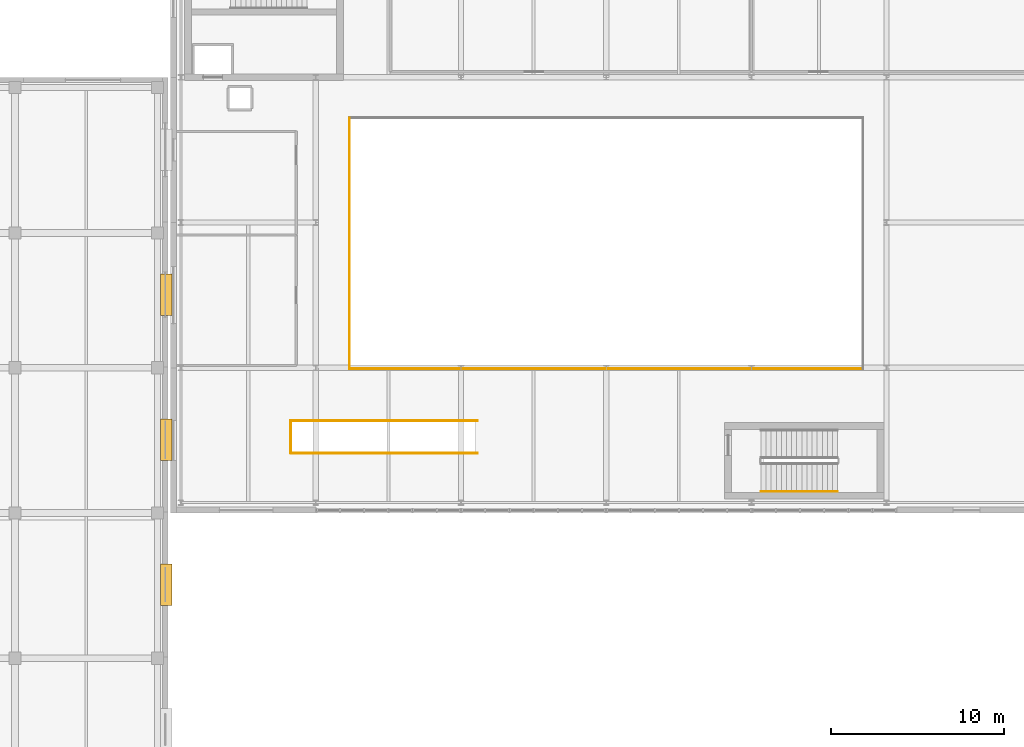
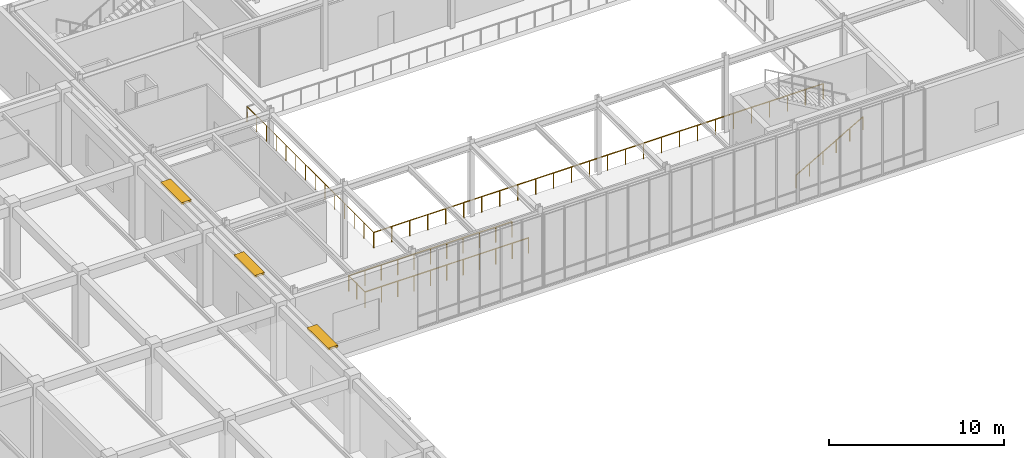
# One storey, part 137 of 139: 6 railings, 3 shading devices.
"""IFC4 building model written with IfcOpenShell, lengths in metres."""

import ifcopenshell
import ifcopenshell.guid

model = None  # the IFC model being written
_history = None  # IfcOwnerHistory: only IFC2X3 demands one
_inside = {}  # id of a spatial element -> (the spatial element, [elements in it])
_under = {}  # id of a project, library or spatial element -> (it, [spatial elements below it])
_declared = {}  # id of a project -> (the project, [libraries it declares])
_typed = {}  # id of a type object -> (the type object, [elements of that type])
_made_of = {}  # id of a material, layer set ... -> (it, [elements and type objects made of it])


def new_model(schema):
    """Start an empty IFC model of exactly this schema.

    Asked for "IFC4X3", IfcOpenShell would pick the latest addendum, in which some entities
    have other attributes; the version numbers below select the first issue.
    IFC2X3 requires an IfcOwnerHistory on every rooted entity: one is made here for all.
    """
    global model, _history
    if schema == "IFC4X3":
        model = ifcopenshell.file(schema_version=(4, 3, 0, 0))
    else:
        model = ifcopenshell.file(schema=schema)
    _inside.clear()
    _under.clear()
    _declared.clear()
    _typed.clear()
    _made_of.clear()
    _history = None
    if model.schema == "IFC2X3":
        org = make("IfcOrganization", Name="unknown")
        user = make(
            "IfcPersonAndOrganization",
            ThePerson=make("IfcPerson", FamilyName="unknown"),
            TheOrganization=org,
        )
        app = make(
            "IfcApplication",
            ApplicationDeveloper=org,
            Version="unknown",
            ApplicationFullName="unknown",
            ApplicationIdentifier="unknown",
        )
        _history = make(
            "IfcOwnerHistory",
            OwningUser=user,
            OwningApplication=app,
            ChangeAction="ADDED",
            CreationDate=0,
        )
    return model


def make(cls, **values):
    """One entity of the class cls with the attributes given. An attribute that is None is left unset."""
    return model.create_entity(
        cls, **{name: value for name, value in values.items() if value is not None}
    )


def rooted(cls, **values):
    """An entity with a GlobalId (a new one), such as an element, a storey or a relation."""
    return make(cls, GlobalId=ifcopenshell.guid.new(), OwnerHistory=_history, **values)


def si_unit(unit_type, name, prefix=None):
    """IfcSIUnit, for example si_unit("LENGTHUNIT", "METRE", prefix="MILLI")."""
    return make("IfcSIUnit", UnitType=unit_type, Prefix=prefix, Name=name)


def assignment(units):
    """IfcUnitAssignment: the units of a project."""
    return None if units is None else make("IfcUnitAssignment", Units=units)


def point(xyz):
    """IfcCartesianPoint."""
    return None if xyz is None else make("IfcCartesianPoint", Coordinates=xyz)


def direction(xyz):
    """IfcDirection."""
    return None if xyz is None else make("IfcDirection", DirectionRatios=xyz)


def frame(location, z_axis=None, x_axis=None):
    """IfcAxis2Placement3D, a coordinate frame: its origin and axes. An axis left out is left unset."""
    return make(
        "IfcAxis2Placement3D",
        Location=point(location),
        Axis=direction(z_axis),
        RefDirection=direction(x_axis),
    )


def frame_2d(location, x_axis=None):
    """IfcAxis2Placement2D, a coordinate frame in the plane: its origin and x axis."""
    return make(
        "IfcAxis2Placement2D", Location=point(location), RefDirection=direction(x_axis)
    )


def origin():
    """The frame at (0, 0, 0) with its axes left unset."""
    return frame((0.0, 0.0, 0.0))


def origin_2d():
    """The frame at (0, 0) in the plane with its x axis left unset."""
    return frame_2d((0.0, 0.0))


def place(relative_to, where):
    """IfcLocalPlacement: puts the frame where relative to a parent placement (None: the world)."""
    return make(
        "IfcLocalPlacement", PlacementRelTo=relative_to, RelativePlacement=where
    )


def context(
    kind, dimensions, precision=None, world=None, true_north=None, identifier=None
):
    """IfcGeometricRepresentationContext, for example the 3D "Model" context."""
    return make(
        "IfcGeometricRepresentationContext",
        ContextIdentifier=identifier,
        ContextType=kind,
        CoordinateSpaceDimension=dimensions,
        Precision=precision,
        WorldCoordinateSystem=world,
        TrueNorth=true_north,
    )


def subcontext(parent, identifier, kind, view, scale=None):
    """IfcGeometricRepresentationSubContext, for example "Body" below "Model"."""
    return make(
        "IfcGeometricRepresentationSubContext",
        ContextIdentifier=identifier,
        ContextType=kind,
        ParentContext=parent,
        TargetScale=scale,
        TargetView=view,
    )


def project(units=None, contexts=None):
    """IfcProject with its units and contexts."""
    return rooted(
        "IfcProject",
        Name="project",
        RepresentationContexts=contexts,
        UnitsInContext=assignment(units),
    )


def spatial(cls, under=None, at=None, **own):
    """A site, building, storey or space (cls), placed at a placement, below another one or the project."""
    s = rooted(cls, ObjectPlacement=at, **own)
    if under is not None:
        _under.setdefault(under.id(), (under, []))[1].append(s)
    return s


def profile(cls, at=None, kind="AREA", **sizes):
    """A parametric profile (cls). Its sizes go by their IFC names, for example OverallWidth=200.0."""
    return make(cls, ProfileType=kind, Position=at, **sizes)


def rectangle(**sizes):
    """IfcRectangleProfileDef."""
    return profile("IfcRectangleProfileDef", **sizes)


def circle(**sizes):
    """IfcCircleProfileDef."""
    return profile("IfcCircleProfileDef", **sizes)


def extrude(swept, where, along, depth):
    """IfcExtrudedAreaSolid: the profile swept, set in the frame where, extruded along a direction by depth."""
    return make(
        "IfcExtrudedAreaSolid",
        SweptArea=swept,
        Position=where,
        ExtrudedDirection=direction(along),
        Depth=depth,
    )


def shape(context_of_items, identifier, shape_type, items):
    """IfcShapeRepresentation: the items that make up one representation, for example the "Body"."""
    return make(
        "IfcShapeRepresentation",
        ContextOfItems=context_of_items,
        RepresentationIdentifier=identifier,
        RepresentationType=shape_type,
        Items=items,
    )


def material(Name=None, Category=None):
    """IfcMaterial."""
    return make("IfcMaterial", Name=Name, Category=Category)


def made_of(thing, what):
    """Note that an element or type object is made of a material, layer set ...; save() writes the relation."""
    if what is not None:
        _made_of.setdefault(what.id(), (what, []))[1].append(thing)
    return thing


def type_object(cls, material=None, **own):
    """A type object (cls), such as IfcWallType, which elements share."""
    return made_of(rooted(cls, **own), material)


def element(
    cls,
    number,
    at=None,
    inside=None,
    cuts=None,
    type_object=None,
    material=None,
    context=None,
    identifier="Body",
    shape_type=None,
    held_by="IfcProductDefinitionShape",
    body=None,
    shapes=None,
    **own,
):
    """One element of the class cls, such as IfcWall. Its Tag is "e" and its number.

    at: its placement. inside: the storey or other place that contains it. cuts: it is an
    opening in that element (IfcRelVoidsElement). A single representation is given by context,
    identifier, shape_type and body (its items); several are given by shapes. held_by: the class
    of the entity that holds the representations. save() writes the other relations.
    """
    e = rooted(cls, Tag="e%d" % number, ObjectPlacement=at, **own)
    if body is not None:
        shapes = [shape(context, identifier, shape_type, body)]
    if shapes is not None:
        e.Representation = make(held_by, Representations=shapes)
    if inside is not None:
        _inside.setdefault(inside.id(), (inside, []))[1].append(e)
    if cuts is not None:
        rooted(
            "IfcRelVoidsElement", RelatingBuildingElement=cuts, RelatedOpeningElement=e
        )
    if type_object is not None:
        _typed.setdefault(type_object.id(), (type_object, []))[1].append(e)
    return made_of(e, material)


def aggregate(whole, parts):
    """IfcRelAggregates: a whole, such as a stair, and the parts it consists of."""
    return rooted("IfcRelAggregates", RelatingObject=whole, RelatedObjects=parts)


def save(model, path):
    """Write the relations noted so far, then the file.

    IfcRelAggregates (storeys below a building ...), IfcRelContainedInSpatialStructure (elements
    in a storey), IfcRelDefinesByType, IfcRelAssociatesMaterial and IfcRelDeclares: one each for
    every whole, place, type object, material and project.
    """
    for whole, parts in _under.values():
        aggregate(whole, parts)
    for where, things in _inside.values():
        rooted(
            "IfcRelContainedInSpatialStructure",
            RelatedElements=things,
            RelatingStructure=where,
        )
    for kind, things in _typed.values():
        rooted("IfcRelDefinesByType", RelatedObjects=things, RelatingType=kind)
    for what, things in _made_of.values():
        rooted("IfcRelAssociatesMaterial", RelatedObjects=things, RelatingMaterial=what)
    for by, libraries in _declared.values():
        rooted("IfcRelDeclares", RelatingContext=by, RelatedDefinitions=libraries)
    model.write(path)


model = new_model("IFC4")

# Units and contexts
model_context = context("Model", 3, precision=1e-05, world=origin(), true_north=direction((0.0, 1.0)))
body_context = subcontext(model_context, "Body", "Model", "MODEL_VIEW")
ifc_project = project(units=[si_unit("LENGTHUNIT", "METRE"), si_unit("AREAUNIT", "SQUARE_METRE"), si_unit("VOLUMEUNIT", "CUBIC_METRE"), si_unit("PLANEANGLEUNIT", "RADIAN"), si_unit("MASSUNIT", "GRAM", prefix="KILO")], contexts=[model_context])

# Site, building, storey
site_placement = place(None, origin())
site = spatial("IfcSite", under=ifc_project, at=site_placement, CompositionType="ELEMENT")
building_placement = place(site_placement, origin())
building = spatial("IfcBuilding", under=site, at=building_placement, Name="Zayran Congress Hotel", CompositionType="ELEMENT")
storey_placement = place(building_placement, frame((0.0, 0.0, 5.39990234375)))
storey = spatial("IfcBuildingStorey", under=building, at=storey_placement, Name="L01", CompositionType="ELEMENT", Elevation=5.39990234375)

# Shading devices
ifc_material_1 = material(Name="Precast concrete C40/50", Category="concrete")
shading_device_type = type_object("IfcShadingDeviceType", Name="TP-SHD-01", PredefinedType="JALOUSIE", material=ifc_material_1)
for number, where, z_axis, x_axis, name in (
    (1, (142.550048828125, 80.26611328125, 4.9599609375), (0.0, 0.0, 1.0), (0.0, 1.0, 0.0), "Precast Brise Soleil Louvre 5"),
    (2, (142.550048828125, 88.64697265625, 4.9599609375), (0.0, 0.0, 1.0), (0.0, 1.0, 0.0), "Precast Brise Soleil Louvre 6"),
    (3, (142.550048828125, 97.028076171875, 4.9599609375), (0.0, 0.0, 1.0), (0.0, 1.0, 0.0), "Precast Brise Soleil Louvre 7"),
):
    element("IfcShadingDevice", number, at=place(storey_placement, frame(where, z_axis=z_axis, x_axis=x_axis)), inside=storey, type_object=shading_device_type, Name=name, PredefinedType="JALOUSIE", context=body_context, shape_type="SweptSolid", body=[
        extrude(rectangle(XDim=2.39990234375, YDim=0.64990234375, at=origin_2d()), origin(), (0.0, 0.0, 1.0), 0.139892578125),
    ])

# Railings
ifc_material_2 = material(Name="Painted steel balustrade", Category="steel")
railing_type_1 = type_object("IfcRailingType", Name="TP-GRD-INT", PredefinedType="GUARDRAIL", material=ifc_material_2)
railing_1_placement = place(storey_placement, frame((160.550048828125, 89.739990234375, 0.0)))
element("IfcRailing", 4, at=railing_1_placement, inside=storey, type_object=railing_type_1, Name="GRD-VOMWELL-04-WL", PredefinedType="GUARDRAIL", context=body_context, shape_type="SweptSolid", body=[
    extrude(circle(Radius=0.02392578125, at=origin_2d()), frame((0.0, 0.0, 1.076171875), z_axis=(-1.0, 0.0, 0.0), x_axis=(0.0, -1.0, 0.0)), (0.0, 0.0, 1.0), 10.800048828125),
    extrude(circle(Radius=0.02099609375, at=origin_2d()), origin(), (0.0, 0.0, 1.0), 1.052001953125),
    extrude(circle(Radius=0.02099609375, at=origin_2d()), frame((-1.080078125, 0.0, 0.0)), (0.0, 0.0, 1.0), 1.052001953125),
    extrude(circle(Radius=0.02099609375, at=origin_2d()), frame((-2.159912109375, 0.0, 0.0)), (0.0, 0.0, 1.0), 1.052001953125),
    extrude(circle(Radius=0.02099609375, at=origin_2d()), frame((-3.239990234375, 0.0, 0.0)), (0.0, 0.0, 1.0), 1.052001953125),
    extrude(circle(Radius=0.02099609375, at=origin_2d()), frame((-4.320068359375, 0.0, 0.0)), (0.0, 0.0, 1.0), 1.052001953125),
    extrude(circle(Radius=0.02099609375, at=origin_2d()), frame((-5.39990234375, 0.0, 0.0)), (0.0, 0.0, 1.0), 1.052001953125),
    extrude(circle(Radius=0.02099609375, at=origin_2d()), frame((-6.47998046875, 0.0, 0.0)), (0.0, 0.0, 1.0), 1.052001953125),
    extrude(circle(Radius=0.02099609375, at=origin_2d()), frame((-7.56005859375, 0.0, 0.0)), (0.0, 0.0, 1.0), 1.052001953125),
    extrude(circle(Radius=0.02099609375, at=origin_2d()), frame((-8.64013671875, 0.0, 0.0)), (0.0, 0.0, 1.0), 1.052001953125),
    extrude(circle(Radius=0.02099609375, at=origin_2d()), frame((-9.719970703125, 0.0, 0.0)), (0.0, 0.0, 1.0), 1.052001953125),
    extrude(circle(Radius=0.02099609375, at=origin_2d()), frame((-10.800048828125, 0.0, 0.0)), (0.0, 0.0, 1.0), 1.052001953125),
])
railing_2_placement = place(storey_placement, frame((149.75, 89.739990234375, 0.0)))
element("IfcRailing", 5, at=railing_2_placement, inside=storey, type_object=railing_type_1, Name="GRD-VOMWELL-04-WB", PredefinedType="GUARDRAIL", context=body_context, shape_type="SweptSolid", body=[
    extrude(circle(Radius=0.02392578125, at=origin_2d()), frame((0.0, 0.0, 1.076171875), z_axis=(0.0, -1.0, 0.0), x_axis=(1.0, 0.0, 0.0)), (0.0, 0.0, 1.0), 1.8798828125),
    extrude(circle(Radius=0.02099609375, at=origin_2d()), origin(), (0.0, 0.0, 1.0), 1.052001953125),
    extrude(circle(Radius=0.02099609375, at=origin_2d()), frame((0.0, -0.93994140625, 0.0)), (0.0, 0.0, 1.0), 1.052001953125),
    extrude(circle(Radius=0.02099609375, at=origin_2d()), frame((0.0, -1.8798828125, 0.0)), (0.0, 0.0, 1.0), 1.052001953125),
])
railing_3_placement = place(storey_placement, frame((149.75, 87.860107421875, 0.0)))
element("IfcRailing", 6, at=railing_3_placement, inside=storey, type_object=railing_type_1, Name="GRD-VOMWELL-04-WR", PredefinedType="GUARDRAIL", context=body_context, shape_type="SweptSolid", body=[
    extrude(circle(Radius=0.02392578125, at=origin_2d()), frame((0.0, 0.0, 1.076171875), z_axis=(1.0, 0.0, 0.0), x_axis=(0.0, 1.0, 0.0)), (0.0, 0.0, 1.0), 10.800048828125),
    extrude(circle(Radius=0.02099609375, at=origin_2d()), origin(), (0.0, 0.0, 1.0), 1.052001953125),
    extrude(circle(Radius=0.02099609375, at=origin_2d()), frame((1.080078125, 0.0, 0.0)), (0.0, 0.0, 1.0), 1.052001953125),
    extrude(circle(Radius=0.02099609375, at=origin_2d()), frame((2.159912109375, 0.0, 0.0)), (0.0, 0.0, 1.0), 1.052001953125),
    extrude(circle(Radius=0.02099609375, at=origin_2d()), frame((3.239990234375, 0.0, 0.0)), (0.0, 0.0, 1.0), 1.052001953125),
    extrude(circle(Radius=0.02099609375, at=origin_2d()), frame((4.320068359375, 0.0, 0.0)), (0.0, 0.0, 1.0), 1.052001953125),
    extrude(circle(Radius=0.02099609375, at=origin_2d()), frame((5.39990234375, 0.0, 0.0)), (0.0, 0.0, 1.0), 1.052001953125),
    extrude(circle(Radius=0.02099609375, at=origin_2d()), frame((6.47998046875, 0.0, 0.0)), (0.0, 0.0, 1.0), 1.052001953125),
    extrude(circle(Radius=0.02099609375, at=origin_2d()), frame((7.56005859375, 0.0, 0.0)), (0.0, 0.0, 1.0), 1.052001953125),
    extrude(circle(Radius=0.02099609375, at=origin_2d()), frame((8.64013671875, 0.0, 0.0)), (0.0, 0.0, 1.0), 1.052001953125),
    extrude(circle(Radius=0.02099609375, at=origin_2d()), frame((9.719970703125, 0.0, 0.0)), (0.0, 0.0, 1.0), 1.052001953125),
    extrude(circle(Radius=0.02099609375, at=origin_2d()), frame((10.800048828125, 0.0, 0.0)), (0.0, 0.0, 1.0), 1.052001953125),
])
railing_4_placement = place(storey_placement, frame((153.14990234375, 92.75, 0.0)))
element("IfcRailing", 7, at=railing_4_placement, inside=storey, type_object=railing_type_1, Name="V2 L01 Interior Void Guardrail V2-L01-BAL-S", PredefinedType="GUARDRAIL", context=body_context, shape_type="SweptSolid", body=[
    extrude(circle(Radius=0.02392578125, at=origin_2d()), frame((0.0, 0.0, 1.076171875), z_axis=(1.0, 0.0, 0.0), x_axis=(0.0, 1.0, 0.0)), (0.0, 0.0, 1.0), 29.7001953125),
    extrude(circle(Radius=0.02099609375, at=origin_2d()), origin(), (0.0, 0.0, 1.0), 1.052001953125),
    extrude(circle(Radius=0.02099609375, at=origin_2d()), frame((1.18798828125, 0.0, 0.0)), (0.0, 0.0, 1.0), 1.052001953125),
    extrude(circle(Radius=0.02099609375, at=origin_2d()), frame((2.3759765625, 0.0, 0.0)), (0.0, 0.0, 1.0), 1.052001953125),
    extrude(circle(Radius=0.02099609375, at=origin_2d()), frame((3.56396484375, 0.0, 0.0)), (0.0, 0.0, 1.0), 1.052001953125),
    extrude(circle(Radius=0.02099609375, at=origin_2d()), frame((4.751953125, 0.0, 0.0)), (0.0, 0.0, 1.0), 1.052001953125),
    extrude(circle(Radius=0.02099609375, at=origin_2d()), frame((5.93994140625, 0.0, 0.0)), (0.0, 0.0, 1.0), 1.052001953125),
    extrude(circle(Radius=0.02099609375, at=origin_2d()), frame((7.1279296875, 0.0, 0.0)), (0.0, 0.0, 1.0), 1.052001953125),
    extrude(circle(Radius=0.02099609375, at=origin_2d()), frame((8.316162109375, 0.0, 0.0)), (0.0, 0.0, 1.0), 1.052001953125),
    extrude(circle(Radius=0.02099609375, at=origin_2d()), frame((9.504150390625, 0.0, 0.0)), (0.0, 0.0, 1.0), 1.052001953125),
    extrude(circle(Radius=0.02099609375, at=origin_2d()), frame((10.692138671875, 0.0, 0.0)), (0.0, 0.0, 1.0), 1.052001953125),
    extrude(circle(Radius=0.02099609375, at=origin_2d()), frame((11.880126953125, 0.0, 0.0)), (0.0, 0.0, 1.0), 1.052001953125),
    extrude(circle(Radius=0.02099609375, at=origin_2d()), frame((13.068115234375, 0.0, 0.0)), (0.0, 0.0, 1.0), 1.052001953125),
    extrude(circle(Radius=0.02099609375, at=origin_2d()), frame((14.256103515625, 0.0, 0.0)), (0.0, 0.0, 1.0), 1.052001953125),
    extrude(circle(Radius=0.02099609375, at=origin_2d()), frame((15.444091796875, 0.0, 0.0)), (0.0, 0.0, 1.0), 1.052001953125),
    extrude(circle(Radius=0.02099609375, at=origin_2d()), frame((16.632080078125, 0.0, 0.0)), (0.0, 0.0, 1.0), 1.052001953125),
    extrude(circle(Radius=0.02099609375, at=origin_2d()), frame((17.820068359375, 0.0, 0.0)), (0.0, 0.0, 1.0), 1.052001953125),
    extrude(circle(Radius=0.02099609375, at=origin_2d()), frame((19.008056640625, 0.0, 0.0)), (0.0, 0.0, 1.0), 1.052001953125),
    extrude(circle(Radius=0.02099609375, at=origin_2d()), frame((20.196044921875, 0.0, 0.0)), (0.0, 0.0, 1.0), 1.052001953125),
    extrude(circle(Radius=0.02099609375, at=origin_2d()), frame((21.384033203125, 0.0, 0.0)), (0.0, 0.0, 1.0), 1.052001953125),
    extrude(circle(Radius=0.02099609375, at=origin_2d()), frame((22.572265625, 0.0, 0.0)), (0.0, 0.0, 1.0), 1.052001953125),
    extrude(circle(Radius=0.02099609375, at=origin_2d()), frame((23.76025390625, 0.0, 0.0)), (0.0, 0.0, 1.0), 1.052001953125),
    extrude(circle(Radius=0.02099609375, at=origin_2d()), frame((24.9482421875, 0.0, 0.0)), (0.0, 0.0, 1.0), 1.052001953125),
    extrude(circle(Radius=0.02099609375, at=origin_2d()), frame((26.13623046875, 0.0, 0.0)), (0.0, 0.0, 1.0), 1.052001953125),
    extrude(circle(Radius=0.02099609375, at=origin_2d()), frame((27.32421875, 0.0, 0.0)), (0.0, 0.0, 1.0), 1.052001953125),
    extrude(circle(Radius=0.02099609375, at=origin_2d()), frame((28.51220703125, 0.0, 0.0)), (0.0, 0.0, 1.0), 1.052001953125),
    extrude(circle(Radius=0.02099609375, at=origin_2d()), frame((29.7001953125, 0.0, 0.0)), (0.0, 0.0, 1.0), 1.052001953125),
])
railing_5_placement = place(storey_placement, frame((153.14990234375, 107.25, 0.0)))
element("IfcRailing", 8, at=railing_5_placement, inside=storey, type_object=railing_type_1, Name="V2 L01 Interior Void Guardrail V2-L01-BAL-W", PredefinedType="GUARDRAIL", context=body_context, shape_type="SweptSolid", body=[
    extrude(circle(Radius=0.02392578125, at=origin_2d()), frame((0.0, 0.0, 1.076171875), z_axis=(0.0, -1.0, 0.0), x_axis=(1.0, 0.0, 0.0)), (0.0, 0.0, 1.0), 14.5),
    extrude(circle(Radius=0.02099609375, at=origin_2d()), origin(), (0.0, 0.0, 1.0), 1.052001953125),
    extrude(circle(Radius=0.02099609375, at=origin_2d()), frame((0.0, -1.115478515625, 0.0)), (0.0, 0.0, 1.0), 1.052001953125),
    extrude(circle(Radius=0.02099609375, at=origin_2d()), frame((0.0, -2.230712890625, 0.0)), (0.0, 0.0, 1.0), 1.052001953125),
    extrude(circle(Radius=0.02099609375, at=origin_2d()), frame((0.0, -3.34619140625, 0.0)), (0.0, 0.0, 1.0), 1.052001953125),
    extrude(circle(Radius=0.02099609375, at=origin_2d()), frame((0.0, -4.46142578125, 0.0)), (0.0, 0.0, 1.0), 1.052001953125),
    extrude(circle(Radius=0.02099609375, at=origin_2d()), frame((0.0, -5.576904296875, 0.0)), (0.0, 0.0, 1.0), 1.052001953125),
    extrude(circle(Radius=0.02099609375, at=origin_2d()), frame((0.0, -6.6923828125, 0.0)), (0.0, 0.0, 1.0), 1.052001953125),
    extrude(circle(Radius=0.02099609375, at=origin_2d()), frame((0.0, -7.8076171875, 0.0)), (0.0, 0.0, 1.0), 1.052001953125),
    extrude(circle(Radius=0.02099609375, at=origin_2d()), frame((0.0, -8.923095703125, 0.0)), (0.0, 0.0, 1.0), 1.052001953125),
    extrude(circle(Radius=0.02099609375, at=origin_2d()), frame((0.0, -10.03857421875, 0.0)), (0.0, 0.0, 1.0), 1.052001953125),
    extrude(circle(Radius=0.02099609375, at=origin_2d()), frame((0.0, -11.15380859375, 0.0)), (0.0, 0.0, 1.0), 1.052001953125),
    extrude(circle(Radius=0.02099609375, at=origin_2d()), frame((0.0, -12.269287109375, 0.0)), (0.0, 0.0, 1.0), 1.052001953125),
    extrude(circle(Radius=0.02099609375, at=origin_2d()), frame((0.0, -13.384521484375, 0.0)), (0.0, 0.0, 1.0), 1.052001953125),
    extrude(circle(Radius=0.02099609375, at=origin_2d()), frame((0.0, -14.5, 0.0)), (0.0, 0.0, 1.0), 1.052001953125),
])
ifc_material_3 = material(Name="Brushed stainless steel handrail", Category="steel")
railing_type_2 = type_object("IfcRailingType", Name="TP-HND-STR", PredefinedType="HANDRAIL", material=ifc_material_3)
railing_6_placement = place(storey_placement, frame((176.949951171875, 85.64990234375, 0.1689453125)))
element("IfcRailing", 9, at=railing_6_placement, inside=storey, type_object=railing_type_2, Name="L01 ST-10 stair handrail 1", PredefinedType="HANDRAIL", context=body_context, shape_type="SweptSolid", body=[
    extrude(circle(Radius=0.02392578125, at=origin_2d()), frame((0.0, 0.0, 0.8759765625), z_axis=(0.868019072493, 0.0, 0.49653085482), x_axis=(0.0, 1.0, 0.0)), (0.0, 0.0, 1.0), 5.097900390625),
    extrude(circle(Radius=0.02099609375, at=origin_2d()), origin(), (0.0, 0.0, 1.0), 0.851806640625),
    extrude(circle(Radius=0.02099609375, at=origin_2d()), frame((0.885009765625, 0.0, 0.50634765625)), (0.0, 0.0, 1.0), 0.851806640625),
    extrude(circle(Radius=0.02099609375, at=origin_2d()), frame((1.77001953125, 0.0, 1.012451171875)), (0.0, 0.0, 1.0), 0.851806640625),
    extrude(circle(Radius=0.02099609375, at=origin_2d()), frame((2.655029296875, 0.0, 1.518798828125)), (0.0, 0.0, 1.0), 0.851806640625),
    extrude(circle(Radius=0.02099609375, at=origin_2d()), frame((3.5400390625, 0.0, 2.02490234375)), (0.0, 0.0, 1.0), 0.851806640625),
    extrude(circle(Radius=0.02099609375, at=origin_2d()), frame((4.425048828125, 0.0, 2.53125)), (0.0, 0.0, 1.0), 0.851806640625),
])

save(model, "model.ifc")
